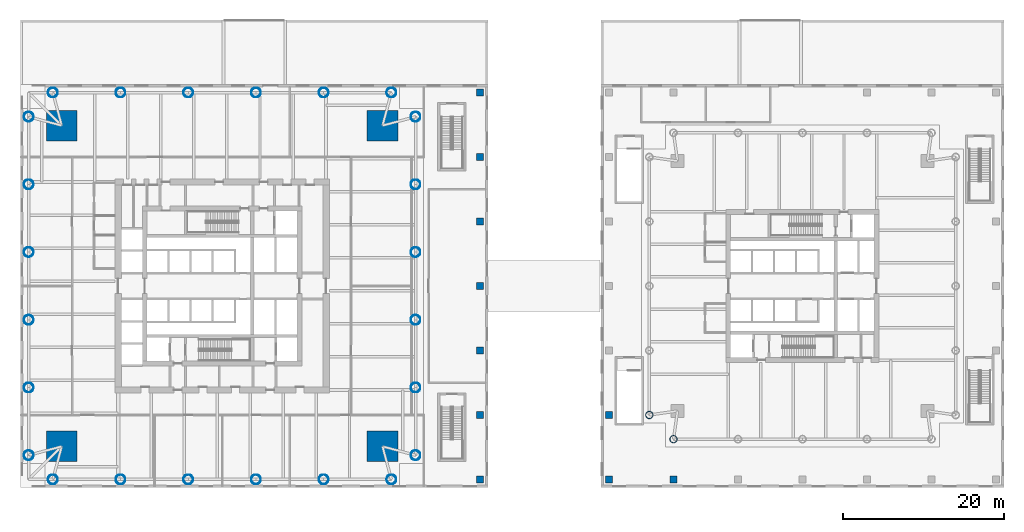
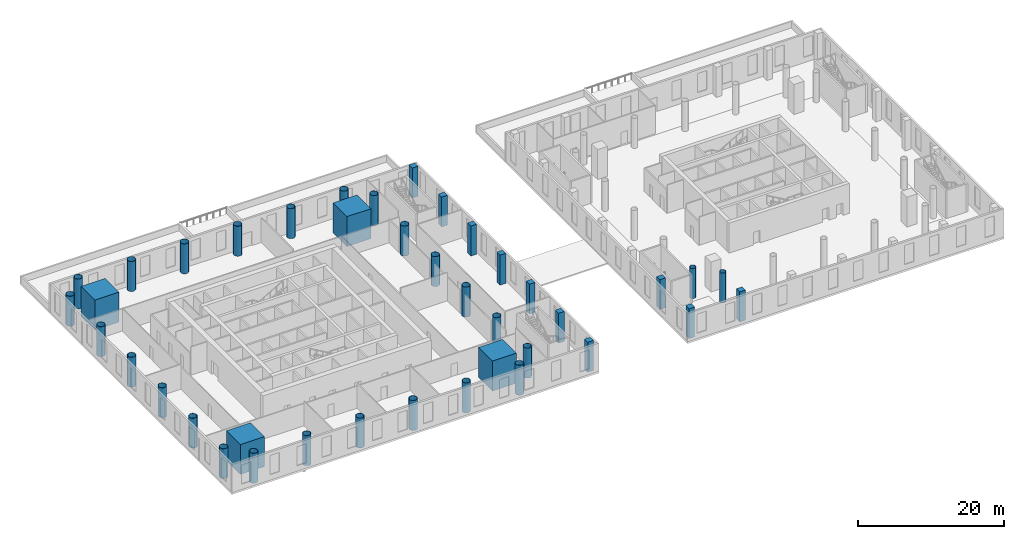
# One storey, part 1 of 16: 40 columns.
"""IFC4 building model written with IfcOpenShell, lengths in metres."""

from ifc_helpers import new_model, si_unit, direction, frame, origin, origin_2d, place, context, subcontext, project, spatial, rectangle, hollow_circle, extrude, material, material_profile, profile_set, type_object, element, save


model = new_model("IFC4")

# Units and contexts
model_context = context("Model", 3, precision=1e-05, world=origin(), true_north=direction((0.0, 1.0)))
body_context = subcontext(model_context, "Body", "Model", "MODEL_VIEW")
ifc_project = project(units=[si_unit("LENGTHUNIT", "METRE"), si_unit("AREAUNIT", "SQUARE_METRE"), si_unit("VOLUMEUNIT", "CUBIC_METRE"), si_unit("PLANEANGLEUNIT", "RADIAN"), si_unit("MASSUNIT", "GRAM", prefix="KILO")], contexts=[model_context])

# Site, building, storey
site_placement = place(None, origin())
site = spatial("IfcSite", under=ifc_project, at=site_placement, CompositionType="ELEMENT")
building_placement = place(site_placement, origin())
building = spatial("IfcBuilding", under=site, at=building_placement, Name="Ostroluk Exchange", CompositionType="ELEMENT")
storey_placement = place(building_placement, frame((0.0, 0.0, 16.0)))
storey = spatial("IfcBuildingStorey", under=building, at=storey_placement, Name="L03", CompositionType="ELEMENT", Elevation=16.0)

# Columns
ifc_material_1 = material(Name="Concrete C50/60", Category="concrete")
ifc_material_profile_1 = material_profile(ifc_material_1, rectangle(XDim=3.800048828125, YDim=3.800048828125, at=origin_2d()), Name="RC 3800x3800")
ifc_profile_set_1 = profile_set([ifc_material_profile_1], Name="Concrete C50/60")
column_type_1 = type_object("IfcColumnType", Name="Mega column RC 3800x3800", PredefinedType="COLUMN", material=ifc_profile_set_1)
for number, where, z_axis, x_axis, name in (
    (1, (64.89990234375, 65.89990234375, 0.0), (0.0, 0.0, 1.0), (1.0, 0.0, 0.0), "T1 mega column NE"),
    (2, (25.10009765625, 65.89990234375, 0.0), (0.0, 0.0, 1.0), (1.0, 0.0, 0.0), "T1 mega column NW"),
    (3, (25.10009765625, 26.10009765625, 0.0), (0.0, 0.0, 1.0), (1.0, 0.0, 0.0), "T1 mega column SW"),
    (4, (64.89990234375, 26.10009765625, 0.0), (0.0, 0.0, 1.0), (1.0, 0.0, 0.0), "T1 mega column SE"),
):
    element("IfcColumn", number, at=place(storey_placement, frame(where, z_axis=z_axis, x_axis=x_axis)), inside=storey, type_object=column_type_1, Name=name, PredefinedType="COLUMN", context=body_context, shape_type="SweptSolid", body=[
        extrude(rectangle(XDim=3.800048828125, YDim=3.800048828125, at=origin_2d()), origin(), (0.0, 0.0, 1.0), 5.0),
    ])
ifc_material_2 = material(Name="Steel S460", Category="steel")
ifc_material_profile_2 = material_profile(ifc_material_2, hollow_circle(Radius=0.609619140625, WallThickness=0.0400390625, at=origin_2d()), Name="CHS 1219x40")
ifc_profile_set_2 = profile_set([ifc_material_profile_2], Name="Steel S460")
column_type_2 = type_object("IfcColumnType", Name="Perimeter column CHS 1219x40", PredefinedType="COLUMN", material=ifc_profile_set_2)
for number, where, z_axis, x_axis, name in (
    (5, (69.0, 25.0, 0.0), (0.0, 0.0, 1.0), (1.0, 0.0, 0.0), "T1 east face column E0"),
    (6, (69.0, 67.0, 0.0), (0.0, 0.0, 1.0), (1.0, 0.0, 0.0), "T1 east face column E1"),
    (7, (69.0, 33.39990234375, 0.0), (0.0, 0.0, 1.0), (1.0, 0.0, 0.0), "T1 east face column I1"),
    (8, (69.0, 41.800048828125, 0.0), (0.0, 0.0, 1.0), (1.0, 0.0, 0.0), "T1 east face column I2"),
    (9, (69.0, 50.199951171875, 0.0), (0.0, 0.0, 1.0), (1.0, 0.0, 0.0), "T1 east face column I3"),
    (10, (69.0, 58.60009765625, 0.0), (0.0, 0.0, 1.0), (1.0, 0.0, 0.0), "T1 east face column I4"),
    (11, (66.0, 70.0, 0.0), (0.0, 0.0, 1.0), (1.0, 0.0, 0.0), "T1 north face column E0"),
    (12, (24.0, 70.0, 0.0), (0.0, 0.0, 1.0), (1.0, 0.0, 0.0), "T1 north face column E1"),
    (13, (57.60009765625, 70.0, 0.0), (0.0, 0.0, 1.0), (1.0, 0.0, 0.0), "T1 north face column I1"),
    (14, (49.199951171875, 70.0, 0.0), (0.0, 0.0, 1.0), (1.0, 0.0, 0.0), "T1 north face column I2"),
    (15, (40.800048828125, 70.0, 0.0), (0.0, 0.0, 1.0), (1.0, 0.0, 0.0), "T1 north face column I3"),
    (16, (32.39990234375, 70.0, 0.0), (0.0, 0.0, 1.0), (1.0, 0.0, 0.0), "T1 north face column I4"),
    (17, (21.0, 67.0, 0.0), (0.0, 0.0, 1.0), (1.0, 0.0, 0.0), "T1 west face column E0"),
    (18, (21.0, 25.0, 0.0), (0.0, 0.0, 1.0), (1.0, 0.0, 0.0), "T1 west face column E1"),
    (19, (21.0, 58.60009765625, 0.0), (0.0, 0.0, 1.0), (1.0, 0.0, 0.0), "T1 west face column I1"),
    (20, (21.0, 50.199951171875, 0.0), (0.0, 0.0, 1.0), (1.0, 0.0, 0.0), "T1 west face column I2"),
    (21, (21.0, 41.800048828125, 0.0), (0.0, 0.0, 1.0), (1.0, 0.0, 0.0), "T1 west face column I3"),
    (22, (21.0, 33.39990234375, 0.0), (0.0, 0.0, 1.0), (1.0, 0.0, 0.0), "T1 west face column I4"),
    (23, (24.0, 22.0, 0.0), (0.0, 0.0, 1.0), (1.0, 0.0, 0.0), "T1 south face column E0"),
    (24, (66.0, 22.0, 0.0), (0.0, 0.0, 1.0), (1.0, 0.0, 0.0), "T1 south face column E1"),
    (25, (32.39990234375, 22.0, 0.0), (0.0, 0.0, 1.0), (1.0, 0.0, 0.0), "T1 south face column I1"),
    (26, (40.800048828125, 22.0, 0.0), (0.0, 0.0, 1.0), (1.0, 0.0, 0.0), "T1 south face column I2"),
    (27, (49.199951171875, 22.0, 0.0), (0.0, 0.0, 1.0), (1.0, 0.0, 0.0), "T1 south face column I3"),
    (28, (57.60009765625, 22.0, 0.0), (0.0, 0.0, 1.0), (1.0, 0.0, 0.0), "T1 south face column I4"),
):
    element("IfcColumn", number, at=place(storey_placement, frame(where, z_axis=z_axis, x_axis=x_axis)), inside=storey, type_object=column_type_2, Name=name, PredefinedType="COLUMN", context=body_context, shape_type="SweptSolid", body=[
        extrude(hollow_circle(Radius=0.609619140625, WallThickness=0.0400390625, at=origin_2d()), origin(), (0.0, 0.0, 1.0), 5.0),
    ])
ifc_material_3 = material(Name="Steel S460", Category="steel")
ifc_material_profile_3 = material_profile(ifc_material_3, hollow_circle(Radius=0.45703125, WallThickness=0.030029296875, at=origin_2d()), Name="CHS 914x30")
ifc_profile_set_3 = profile_set([ifc_material_profile_3], Name="Steel S460")
column_type_3 = type_object("IfcColumnType", Name="Perimeter column CHS 914x30", PredefinedType="COLUMN", material=ifc_profile_set_3)
for number, where, z_axis, x_axis, name in (
    (29, (98.0, 30.0, 0.0), (0.0, 0.0, 1.0), (1.0, 0.0, 0.0), "T2 west face column E1"),
    (30, (101.0, 27.0, 0.0), (0.0, 0.0, 1.0), (1.0, 0.0, 0.0), "T2 south face column E0"),
):
    element("IfcColumn", number, at=place(storey_placement, frame(where, z_axis=z_axis, x_axis=x_axis)), inside=storey, type_object=column_type_3, Name=name, PredefinedType="COLUMN", context=body_context, shape_type="SweptSolid", body=[
        extrude(hollow_circle(Radius=0.45703125, WallThickness=0.030029296875, at=origin_2d()), origin(), (0.0, 0.0, 1.0), 5.0),
    ])
ifc_material_4 = material(Name="Concrete C50/60", Category="concrete")
ifc_material_profile_4 = material_profile(ifc_material_4, rectangle(XDim=0.89990234375, YDim=0.89990234375, at=origin_2d()), Name="RC 900x900")
ifc_profile_set_4 = profile_set([ifc_material_profile_4], Name="Concrete C50/60")
column_type_4 = type_object("IfcColumnType", Name="Podium column RC 900x900", PredefinedType="COLUMN", material=ifc_profile_set_4)
for number, where, z_axis, x_axis, name in (
    (31, (77.0, 22.0, 0.0), (0.0, 0.0, 1.0), (1.0, 0.0, 0.0), "Podium column 77/22"),
    (32, (77.0, 30.0, 0.0), (0.0, 0.0, 1.0), (1.0, 0.0, 0.0), "Podium column 77/30"),
    (33, (77.0, 38.0, 0.0), (0.0, 0.0, 1.0), (1.0, 0.0, 0.0), "Podium column 77/38"),
    (34, (77.0, 46.0, 0.0), (0.0, 0.0, 1.0), (1.0, 0.0, 0.0), "Podium column 77/46"),
    (35, (77.0, 54.0, 0.0), (0.0, 0.0, 1.0), (1.0, 0.0, 0.0), "Podium column 77/54"),
    (36, (77.0, 62.0, 0.0), (0.0, 0.0, 1.0), (1.0, 0.0, 0.0), "Podium column 77/62"),
    (37, (77.0, 70.0, 0.0), (0.0, 0.0, 1.0), (1.0, 0.0, 0.0), "Podium column 77/70"),
    (38, (93.0, 22.0, 0.0), (0.0, 0.0, 1.0), (1.0, 0.0, 0.0), "Podium column 93/22"),
    (39, (93.0, 30.0, 0.0), (0.0, 0.0, 1.0), (1.0, 0.0, 0.0), "Podium column 93/30"),
    (40, (101.0, 22.0, 0.0), (0.0, 0.0, 1.0), (1.0, 0.0, 0.0), "Podium column 101/22"),
):
    element("IfcColumn", number, at=place(storey_placement, frame(where, z_axis=z_axis, x_axis=x_axis)), inside=storey, type_object=column_type_4, Name=name, PredefinedType="COLUMN", context=body_context, shape_type="SweptSolid", body=[
        extrude(rectangle(XDim=0.89990234375, YDim=0.89990234375, at=origin_2d()), origin(), (0.0, 0.0, 1.0), 5.0),
    ])

save(model, "model.ifc")
